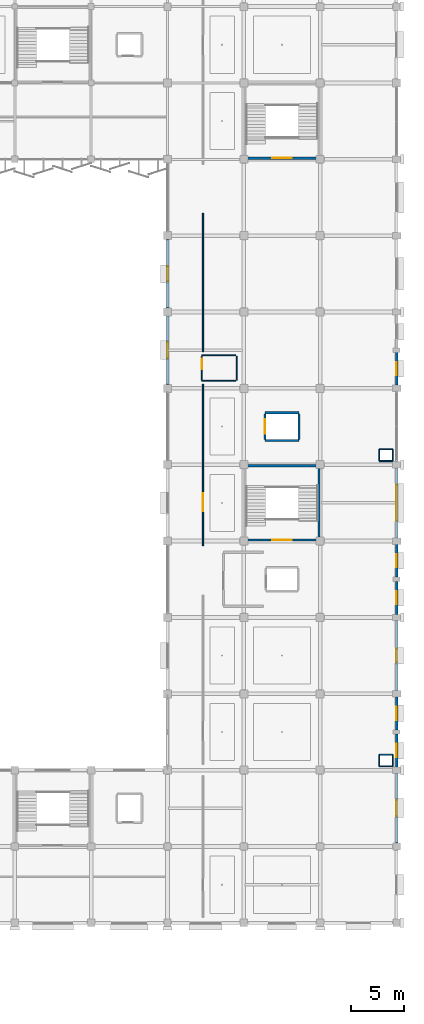
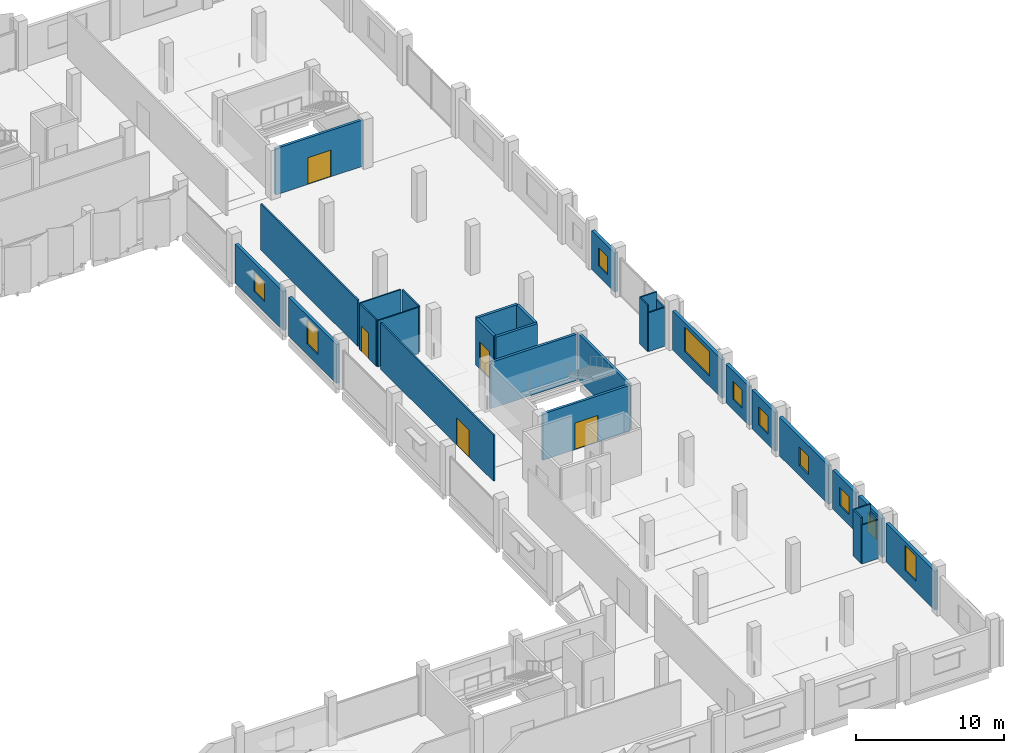
# One storey, part 86 of 108: 32 walls, 10 windows, 5 doors, 15 openings.
"""IFC4 building model written with IfcOpenShell, lengths in metres."""

from ifc_helpers import new_model, si_unit, direction, frame, frame_2d, origin, place, context, subcontext, project, spatial, rectangle, extrude, material, layer, layer_set, type_object, element, fill, save


model = new_model("IFC4")

# Units and contexts
model_context = context("Model", 3, precision=1e-05, world=origin(), true_north=direction((0.0, 1.0)))
body_context = subcontext(model_context, "Body", "Model", "MODEL_VIEW")
ifc_project = project(units=[si_unit("LENGTHUNIT", "METRE"), si_unit("AREAUNIT", "SQUARE_METRE"), si_unit("VOLUMEUNIT", "CUBIC_METRE"), si_unit("PLANEANGLEUNIT", "RADIAN"), si_unit("MASSUNIT", "GRAM", prefix="KILO")], contexts=[model_context])

# Site, building, storey
site_placement = place(None, origin())
site = spatial("IfcSite", under=ifc_project, at=site_placement, CompositionType="ELEMENT")
building_placement = place(site_placement, origin())
building = spatial("IfcBuilding", under=site, at=building_placement, Name="Kangsadwip Square Police Headquarters", CompositionType="ELEMENT")
storey_placement = place(building_placement, frame((0.0, 0.0, 9.449951171875)))
storey = spatial("IfcBuildingStorey", under=building, at=storey_placement, Name="L02", CompositionType="ELEMENT", Elevation=9.449951171875)

# Wall, opening, door
ifc_material_1 = material(Name="Fire-rated double gypsum board acoustic stud partition", Category="masonry")
ifc_layer_1 = layer(ifc_material_1, 0.1201171875)
ifc_layer_set_1 = layer_set([ifc_layer_1], Name="Fire-rated double gypsum board acoustic stud partition")
wall_type_1 = type_object("IfcWallType", Name="AcousticPartition120", PredefinedType="PARTITIONING", material=ifc_layer_set_1)
wall_1_placement = place(storey_placement, frame((147.35009765625, 57.14990234375, 0.0), z_axis=(0.0, 0.0, 1.0), x_axis=(0.0, 1.0, 0.0)))
wall_1 = element("IfcWall", 1, at=wall_1_placement, inside=storey, type_object=wall_type_1, Name="Interior Wall WI-L02-0786", PredefinedType="PARTITIONING", context=body_context, shape_type="SweptSolid", body=[
    extrude(rectangle(XDim=15.22021484375, YDim=0.1201171875, at=frame_2d((7.610107421875, 0.0))), origin(), (0.0, 0.0, 1.0), 3.81005859375),
])
opening_1_placement = place(wall_1_placement, frame((3.2548828125, 0.0, 0.0)))
opening_1 = element("IfcOpeningElement", 2, at=opening_1_placement, cuts=wall_1, Name="Opening ID-17", PredefinedType="OPENING", context=body_context, shape_type="SweptSolid", body=[
    extrude(rectangle(XDim=1.699951171875, YDim=2.199951171875, at=frame_2d((0.85009765625, 1.10009765625))), frame((0.0, 0.070068359375, 0.0), z_axis=(0.0, -1.0, 0.0), x_axis=(1.0, 0.0, 0.0)), (0.0, 0.0, 1.0), 0.14013671875),
])
ifc_material_2 = material(Name="Insulated galvanized steel fire-rated door assembly", Category="steel")
door_type_1 = type_object("IfcDoorType", Name="LabDoubleDoor1700x2200", OperationType="DOUBLE_DOOR_SINGLE_SWING", PredefinedType="DOOR", material=ifc_material_2)
door_1_placement = place(opening_1_placement, origin())
door_1 = element("IfcDoor", 3, at=door_1_placement, inside=storey, type_object=door_type_1, Name="Interior Door ID-L02-0197", OperationType="DOUBLE_DOOR_SINGLE_SWING", OverallHeight=2.199951171875, OverallWidth=1.699951171875, PredefinedType="DOOR", context=body_context, shape_type="SweptSolid", body=[
    extrude(rectangle(XDim=1.699951171875, YDim=2.199951171875, at=frame_2d((0.85009765625, 1.10009765625))), frame((0.0, 0.02490234375, 0.0), z_axis=(0.0, -1.0, 0.0), x_axis=(1.0, 0.0, 0.0)), (0.0, 0.0, 1.0), 0.050048828125),
])
fill(opening_1, door_1)

# Wall
wall_2_placement = place(storey_placement, frame((147.35009765625, 75.429931640625, 0.0), z_axis=(0.0, 0.0, 1.0), x_axis=(0.0, 1.0, 0.0)))
element("IfcWall", 4, at=wall_2_placement, inside=storey, type_object=wall_type_1, Name="Interior Wall WI-L02-0787", PredefinedType="PARTITIONING", context=body_context, shape_type="SweptSolid", body=[
    extrude(rectangle(XDim=13.070068359375, YDim=0.1201171875, at=frame_2d((6.53515625, 0.0))), origin(), (0.0, 0.0, 1.0), 3.81005859375),
])

# Wall, opening, window
ifc_material_3 = material(Name="Glazed architectural terracotta masonry rainscreen", Category="masonry")
ifc_layer_2 = layer(ifc_material_3, 0.25)
ifc_layer_set_2 = layer_set([ifc_layer_2], Name="Glazed architectural terracotta masonry rainscreen")
wall_type_2 = type_object("IfcWallType", Name="ChicagoTerracottaWall250", PredefinedType="SOLIDWALL", material=ifc_layer_set_2)
wall_3_placement = place(storey_placement, frame((144.0, 72.3701171875, 0.0), z_axis=(0.0, 0.0, 1.0), x_axis=(0.0, 1.0, 0.0)))
wall_3 = element("IfcWall", 5, at=wall_3_placement, inside=storey, type_object=wall_type_2, Name="Exterior Wall WE-L02-346", PredefinedType="SOLIDWALL", context=body_context, shape_type="SweptSolid", body=[
    extrude(rectangle(XDim=6.4599609375, YDim=0.25, at=frame_2d((3.22998046875, 0.0))), origin(), (0.0, 0.0, 1.0), 3.195068359375),
])
opening_2_placement = place(wall_3_placement, frame((2.47998046875, 0.0, 0.85009765625)))
opening_2 = element("IfcOpeningElement", 6, at=opening_2_placement, cuts=wall_3, Name="Opening WN-12", PredefinedType="OPENING", context=body_context, shape_type="SweptSolid", body=[
    extrude(rectangle(XDim=1.5, YDim=2.050048828125, at=frame_2d((0.75, 1.02490234375))), frame((0.0, 0.135009765625, 0.0), z_axis=(0.0, -1.0, 0.0), x_axis=(1.0, 0.0, 0.0)), (0.0, 0.0, 1.0), 0.27001953125),
])
ifc_material_4 = material(Name="Double-glazed solar-control low-E safety glass", Category="glass")
window_type_1 = type_object("IfcWindowType", Name="DirectorateTallWin1500x2050", PartitioningType="SINGLE_PANEL", PredefinedType="WINDOW", material=ifc_material_4)
window_1_placement = place(opening_2_placement, origin())
window_1 = element("IfcWindow", 7, at=window_1_placement, inside=storey, type_object=window_type_1, Name="Window WN-L02-0199", OverallHeight=2.050048828125, OverallWidth=1.5, PartitioningType="SINGLE_PANEL", PredefinedType="WINDOW", context=body_context, shape_type="SweptSolid", body=[
    extrude(rectangle(XDim=1.5, YDim=2.050048828125, at=frame_2d((0.75, 1.02490234375))), frame((0.0, 0.030029296875, 0.0), z_axis=(0.0, -1.0, 0.0), x_axis=(1.0, 0.0, 0.0)), (0.0, 0.0, 1.0), 0.06005859375),
])
fill(opening_2, window_1)

wall_4_placement = place(storey_placement, frame((144.0, 79.570068359375, 0.0), z_axis=(0.0, 0.0, 1.0), x_axis=(0.0, 1.0, 0.0)))
wall_4 = element("IfcWall", 8, at=wall_4_placement, inside=storey, type_object=wall_type_2, Name="Exterior Wall WE-L02-347", PredefinedType="SOLIDWALL", context=body_context, shape_type="SweptSolid", body=[
    extrude(rectangle(XDim=6.4599609375, YDim=0.25, at=frame_2d((3.22998046875, 0.0))), origin(), (0.0, 0.0, 1.0), 3.195068359375),
])
opening_3_placement = place(wall_4_placement, frame((2.530029296875, 0.0, 0.85009765625)))
opening_3 = element("IfcOpeningElement", 9, at=opening_3_placement, cuts=wall_4, Name="Opening WN-13", PredefinedType="OPENING", context=body_context, shape_type="SweptSolid", body=[
    extrude(rectangle(XDim=1.39990234375, YDim=1.60009765625, at=frame_2d((0.699951171875, 0.800048828125))), frame((0.0, 0.135009765625, 0.0), z_axis=(0.0, -1.0, 0.0), x_axis=(1.0, 0.0, 0.0)), (0.0, 0.0, 1.0), 0.27001953125),
])
ifc_material_5 = material(Name="Double-glazed solar-control low-E safety glass", Category="glass")
window_type_2 = type_object("IfcWindowType", Name="OfficeCasementWin1400x1600", PartitioningType="SINGLE_PANEL", PredefinedType="WINDOW", material=ifc_material_5)
window_2_placement = place(opening_3_placement, origin())
window_2 = element("IfcWindow", 10, at=window_2_placement, inside=storey, type_object=window_type_2, Name="Window WN-L02-0200", OverallHeight=1.60009765625, OverallWidth=1.39990234375, PartitioningType="SINGLE_PANEL", PredefinedType="WINDOW", context=body_context, shape_type="SweptSolid", body=[
    extrude(rectangle(XDim=1.39990234375, YDim=1.60009765625, at=frame_2d((0.699951171875, 0.800048828125))), frame((0.0, 0.030029296875, 0.0), z_axis=(0.0, -1.0, 0.0), x_axis=(1.0, 0.0, 0.0)), (0.0, 0.0, 1.0), 0.06005859375),
])
fill(opening_3, window_2)

wall_5_placement = place(storey_placement, frame((165.60009765625, 29.14501953125, 0.0), z_axis=(0.0, 0.0, 1.0), x_axis=(0.0, 1.0, 0.0)))
wall_5 = element("IfcWall", 11, at=wall_5_placement, inside=storey, type_object=wall_type_2, Name="Exterior Wall WE-L02-349", PredefinedType="SOLIDWALL", context=body_context, shape_type="SweptSolid", body=[
    extrude(rectangle(XDim=6.56005859375, YDim=0.25, at=frame_2d((3.280029296875, 0.0))), origin(), (0.0, 0.0, 1.0), 3.195068359375),
])
opening_4_placement = place(wall_5_placement, frame((2.530029296875, 0.0, 0.85009765625)))
opening_4 = element("IfcOpeningElement", 12, at=opening_4_placement, cuts=wall_5, Name="Opening WN-12", PredefinedType="OPENING", context=body_context, shape_type="SweptSolid", body=[
    extrude(rectangle(XDim=1.5, YDim=2.050048828125, at=frame_2d((0.75, 1.02490234375))), frame((0.0, 0.135009765625, 0.0), z_axis=(0.0, -1.0, 0.0), x_axis=(1.0, 0.0, 0.0)), (0.0, 0.0, 1.0), 0.27001953125),
])
window_3_placement = place(opening_4_placement, origin())
window_3 = element("IfcWindow", 13, at=window_3_placement, inside=storey, type_object=window_type_1, Name="Window WN-L02-0202", OverallHeight=2.050048828125, OverallWidth=1.5, PartitioningType="SINGLE_PANEL", PredefinedType="WINDOW", context=body_context, shape_type="SweptSolid", body=[
    extrude(rectangle(XDim=1.5, YDim=2.050048828125, at=frame_2d((0.75, 1.02490234375))), frame((0.0, 0.030029296875, 0.0), z_axis=(0.0, -1.0, 0.0), x_axis=(1.0, 0.0, 0.0)), (0.0, 0.0, 1.0), 0.06005859375),
])
fill(opening_4, window_3)

wall_6_placement = place(storey_placement, frame((165.60009765625, 36.294921875, 0.0), z_axis=(0.0, 0.0, 1.0), x_axis=(0.0, 1.0, 0.0)))
wall_6 = element("IfcWall", 14, at=wall_6_placement, inside=storey, type_object=wall_type_2, Name="Exterior Wall WE-L02-350", PredefinedType="SOLIDWALL", context=body_context, shape_type="SweptSolid", body=[
    extrude(rectangle(XDim=3.110107421875, YDim=0.25, at=frame_2d((1.55517578125, 0.0))), origin(), (0.0, 0.0, 1.0), 3.195068359375),
])
opening_5_placement = place(wall_6_placement, frame((0.929931640625, 0.0, 0.85009765625)))
opening_5 = element("IfcOpeningElement", 15, at=opening_5_placement, cuts=wall_6, Name="Opening WN-14", PredefinedType="OPENING", context=body_context, shape_type="SweptSolid", body=[
    extrude(rectangle(XDim=1.25, YDim=1.5, at=frame_2d((0.625, 0.75))), frame((0.0, 0.135009765625, 0.0), z_axis=(0.0, -1.0, 0.0), x_axis=(1.0, 0.0, 0.0)), (0.0, 0.0, 1.0), 0.27001953125),
])
ifc_material_6 = material(Name="Double-glazed solar-control low-E safety glass", Category="glass")
window_type_3 = type_object("IfcWindowType", Name="OfficeCasementWin1250x1500", PartitioningType="SINGLE_PANEL", PredefinedType="WINDOW", material=ifc_material_6)
window_4_placement = place(opening_5_placement, origin())
window_4 = element("IfcWindow", 16, at=window_4_placement, inside=storey, type_object=window_type_3, Name="Window WN-L02-0203", OverallHeight=1.5, OverallWidth=1.25, PartitioningType="SINGLE_PANEL", PredefinedType="WINDOW", context=body_context, shape_type="SweptSolid", body=[
    extrude(rectangle(XDim=1.25, YDim=1.5, at=frame_2d((0.625, 0.75))), frame((0.0, 0.030029296875, 0.0), z_axis=(0.0, -1.0, 0.0), x_axis=(1.0, 0.0, 0.0)), (0.0, 0.0, 1.0), 0.06005859375),
])
fill(opening_5, window_4)

wall_7_placement = place(storey_placement, frame((165.60009765625, 39.794921875, 0.0), z_axis=(0.0, 0.0, 1.0), x_axis=(0.0, 1.0, 0.0)))
wall_7 = element("IfcWall", 17, at=wall_7_placement, inside=storey, type_object=wall_type_2, Name="Exterior Wall WE-L02-351", PredefinedType="SOLIDWALL", context=body_context, shape_type="SweptSolid", body=[
    extrude(rectangle(XDim=3.110107421875, YDim=0.25, at=frame_2d((1.55517578125, 0.0))), origin(), (0.0, 0.0, 1.0), 3.195068359375),
])
opening_6_placement = place(wall_7_placement, frame((0.929931640625, 0.0, 0.85009765625)))
opening_6 = element("IfcOpeningElement", 18, at=opening_6_placement, cuts=wall_7, Name="Opening WN-14", PredefinedType="OPENING", context=body_context, shape_type="SweptSolid", body=[
    extrude(rectangle(XDim=1.25, YDim=1.5, at=frame_2d((0.625, 0.75))), frame((0.0, 0.135009765625, 0.0), z_axis=(0.0, -1.0, 0.0), x_axis=(1.0, 0.0, 0.0)), (0.0, 0.0, 1.0), 0.27001953125),
])
window_5_placement = place(opening_6_placement, origin())
window_5 = element("IfcWindow", 19, at=window_5_placement, inside=storey, type_object=window_type_3, Name="Window WN-L02-0204", OverallHeight=1.5, OverallWidth=1.25, PartitioningType="SINGLE_PANEL", PredefinedType="WINDOW", context=body_context, shape_type="SweptSolid", body=[
    extrude(rectangle(XDim=1.25, YDim=1.5, at=frame_2d((0.625, 0.75))), frame((0.0, 0.030029296875, 0.0), z_axis=(0.0, -1.0, 0.0), x_axis=(1.0, 0.0, 0.0)), (0.0, 0.0, 1.0), 0.06005859375),
])
fill(opening_6, window_5)

wall_8_placement = place(storey_placement, frame((165.60009765625, 43.4951171875, 0.0), z_axis=(0.0, 0.0, 1.0), x_axis=(0.0, 1.0, 0.0)))
wall_8 = element("IfcWall", 20, at=wall_8_placement, inside=storey, type_object=wall_type_2, Name="Exterior Wall WE-L02-352", PredefinedType="SOLIDWALL", context=body_context, shape_type="SweptSolid", body=[
    extrude(rectangle(XDim=6.60986328125, YDim=0.25, at=frame_2d((3.304931640625, 0.0))), origin(), (0.0, 0.0, 1.0), 3.195068359375),
])
opening_7_placement = place(wall_8_placement, frame((2.679931640625, 0.0, 0.85009765625)))
opening_7 = element("IfcOpeningElement", 21, at=opening_7_placement, cuts=wall_8, Name="Opening WN-14", PredefinedType="OPENING", context=body_context, shape_type="SweptSolid", body=[
    extrude(rectangle(XDim=1.25, YDim=1.5, at=frame_2d((0.625, 0.75))), frame((0.0, 0.135009765625, 0.0), z_axis=(0.0, -1.0, 0.0), x_axis=(1.0, 0.0, 0.0)), (0.0, 0.0, 1.0), 0.27001953125),
])
window_6_placement = place(opening_7_placement, origin())
window_6 = element("IfcWindow", 22, at=window_6_placement, inside=storey, type_object=window_type_3, Name="Window WN-L02-0205", OverallHeight=1.5, OverallWidth=1.25, PartitioningType="SINGLE_PANEL", PredefinedType="WINDOW", context=body_context, shape_type="SweptSolid", body=[
    extrude(rectangle(XDim=1.25, YDim=1.5, at=frame_2d((0.625, 0.75))), frame((0.0, 0.030029296875, 0.0), z_axis=(0.0, -1.0, 0.0), x_axis=(1.0, 0.0, 0.0)), (0.0, 0.0, 1.0), 0.06005859375),
])
fill(opening_7, window_6)

wall_9_placement = place(storey_placement, frame((165.60009765625, 50.695068359375, 0.0), z_axis=(0.0, 0.0, 1.0), x_axis=(0.0, 1.0, 0.0)))
wall_9 = element("IfcWall", 23, at=wall_9_placement, inside=storey, type_object=wall_type_2, Name="Exterior Wall WE-L02-353", PredefinedType="SOLIDWALL", context=body_context, shape_type="SweptSolid", body=[
    extrude(rectangle(XDim=3.10986328125, YDim=0.25, at=frame_2d((1.554931640625, 0.0))), origin(), (0.0, 0.0, 1.0), 3.195068359375),
])
opening_8_placement = place(wall_9_placement, frame((0.929931640625, 0.0, 0.85009765625)))
opening_8 = element("IfcOpeningElement", 24, at=opening_8_placement, cuts=wall_9, Name="Opening WN-14", PredefinedType="OPENING", context=body_context, shape_type="SweptSolid", body=[
    extrude(rectangle(XDim=1.25, YDim=1.5, at=frame_2d((0.625, 0.75))), frame((0.0, 0.135009765625, 0.0), z_axis=(0.0, -1.0, 0.0), x_axis=(1.0, 0.0, 0.0)), (0.0, 0.0, 1.0), 0.27001953125),
])
window_7_placement = place(opening_8_placement, origin())
window_7 = element("IfcWindow", 25, at=window_7_placement, inside=storey, type_object=window_type_3, Name="Window WN-L02-0206", OverallHeight=1.5, OverallWidth=1.25, PartitioningType="SINGLE_PANEL", PredefinedType="WINDOW", context=body_context, shape_type="SweptSolid", body=[
    extrude(rectangle(XDim=1.25, YDim=1.5, at=frame_2d((0.625, 0.75))), frame((0.0, 0.030029296875, 0.0), z_axis=(0.0, -1.0, 0.0), x_axis=(1.0, 0.0, 0.0)), (0.0, 0.0, 1.0), 0.06005859375),
])
fill(opening_8, window_7)

wall_10_placement = place(storey_placement, frame((165.60009765625, 54.195068359375, 0.0), z_axis=(0.0, 0.0, 1.0), x_axis=(0.0, 1.0, 0.0)))
wall_10 = element("IfcWall", 26, at=wall_10_placement, inside=storey, type_object=wall_type_2, Name="Exterior Wall WE-L02-354", PredefinedType="SOLIDWALL", context=body_context, shape_type="SweptSolid", body=[
    extrude(rectangle(XDim=3.10986328125, YDim=0.25, at=frame_2d((1.554931640625, 0.0))), origin(), (0.0, 0.0, 1.0), 3.195068359375),
])
opening_9_placement = place(wall_10_placement, frame((0.929931640625, 0.0, 0.85009765625)))
opening_9 = element("IfcOpeningElement", 27, at=opening_9_placement, cuts=wall_10, Name="Opening WN-14", PredefinedType="OPENING", context=body_context, shape_type="SweptSolid", body=[
    extrude(rectangle(XDim=1.25, YDim=1.5, at=frame_2d((0.625, 0.75))), frame((0.0, 0.135009765625, 0.0), z_axis=(0.0, -1.0, 0.0), x_axis=(1.0, 0.0, 0.0)), (0.0, 0.0, 1.0), 0.27001953125),
])
window_8_placement = place(opening_9_placement, origin())
window_8 = element("IfcWindow", 28, at=window_8_placement, inside=storey, type_object=window_type_3, Name="Window WN-L02-0207", OverallHeight=1.5, OverallWidth=1.25, PartitioningType="SINGLE_PANEL", PredefinedType="WINDOW", context=body_context, shape_type="SweptSolid", body=[
    extrude(rectangle(XDim=1.25, YDim=1.5, at=frame_2d((0.625, 0.75))), frame((0.0, 0.030029296875, 0.0), z_axis=(0.0, -1.0, 0.0), x_axis=(1.0, 0.0, 0.0)), (0.0, 0.0, 1.0), 0.06005859375),
])
fill(opening_9, window_8)

wall_11_placement = place(storey_placement, frame((165.60009765625, 57.89501953125, 0.0), z_axis=(0.0, 0.0, 1.0), x_axis=(0.0, 1.0, 0.0)))
wall_11 = element("IfcWall", 29, at=wall_11_placement, inside=storey, type_object=wall_type_2, Name="Exterior Wall WE-L02-355", PredefinedType="SOLIDWALL", context=body_context, shape_type="SweptSolid", body=[
    extrude(rectangle(XDim=6.60986328125, YDim=0.25, at=frame_2d((3.304931640625, 0.0))), origin(), (0.0, 0.0, 1.0), 3.195068359375),
])
opening_10_placement = place(wall_11_placement, frame((1.60498046875, 0.0, 0.85009765625)))
opening_10 = element("IfcOpeningElement", 30, at=opening_10_placement, cuts=wall_11, Name="Opening WN-02", PredefinedType="OPENING", context=body_context, shape_type="SweptSolid", body=[
    extrude(rectangle(XDim=3.39990234375, YDim=2.0, at=frame_2d((1.699951171875, 1.0))), frame((0.0, 0.135009765625, 0.0), z_axis=(0.0, -1.0, 0.0), x_axis=(1.0, 0.0, 0.0)), (0.0, 0.0, 1.0), 0.27001953125),
])
ifc_material_7 = material(Name="Double-glazed solar-control low-E safety glass", Category="glass")
window_type_4 = type_object("IfcWindowType", Name="ChicagoTripartiteWin3400x2000", PartitioningType="TRIPLE_PANEL_HORIZONTAL", PredefinedType="WINDOW", material=ifc_material_7)
window_9_placement = place(opening_10_placement, origin())
window_9 = element("IfcWindow", 31, at=window_9_placement, inside=storey, type_object=window_type_4, Name="Window WN-L02-0208", OverallHeight=2.0, OverallWidth=3.39990234375, PartitioningType="SINGLE_PANEL", PredefinedType="WINDOW", context=body_context, shape_type="SweptSolid", body=[
    extrude(rectangle(XDim=3.39990234375, YDim=2.0, at=frame_2d((1.699951171875, 1.0))), frame((0.0, 0.030029296875, 0.0), z_axis=(0.0, -1.0, 0.0), x_axis=(1.0, 0.0, 0.0)), (0.0, 0.0, 1.0), 0.06005859375),
])
fill(opening_10, window_9)

wall_12_placement = place(storey_placement, frame((165.60009765625, 72.294921875, 0.0), z_axis=(0.0, 0.0, 1.0), x_axis=(0.0, 1.0, 0.0)))
wall_12 = element("IfcWall", 32, at=wall_12_placement, inside=storey, type_object=wall_type_2, Name="Exterior Wall WE-L02-356", PredefinedType="SOLIDWALL", context=body_context, shape_type="SweptSolid", body=[
    extrude(rectangle(XDim=3.110107421875, YDim=0.25, at=frame_2d((1.55517578125, 0.0))), origin(), (0.0, 0.0, 1.0), 3.195068359375),
])
opening_11_placement = place(wall_12_placement, frame((0.929931640625, 0.0, 0.85009765625)))
opening_11 = element("IfcOpeningElement", 33, at=opening_11_placement, cuts=wall_12, Name="Opening WN-14", PredefinedType="OPENING", context=body_context, shape_type="SweptSolid", body=[
    extrude(rectangle(XDim=1.25, YDim=1.5, at=frame_2d((0.625, 0.75))), frame((0.0, 0.135009765625, 0.0), z_axis=(0.0, -1.0, 0.0), x_axis=(1.0, 0.0, 0.0)), (0.0, 0.0, 1.0), 0.27001953125),
])
window_10_placement = place(opening_11_placement, origin())
window_10 = element("IfcWindow", 34, at=window_10_placement, inside=storey, type_object=window_type_3, Name="Window WN-L02-0209", OverallHeight=1.5, OverallWidth=1.25, PartitioningType="SINGLE_PANEL", PredefinedType="WINDOW", context=body_context, shape_type="SweptSolid", body=[
    extrude(rectangle(XDim=1.25, YDim=1.5, at=frame_2d((0.625, 0.75))), frame((0.0, 0.030029296875, 0.0), z_axis=(0.0, -1.0, 0.0), x_axis=(1.0, 0.0, 0.0)), (0.0, 0.0, 1.0), 0.06005859375),
])
fill(opening_11, window_10)

# Wall, opening, door
ifc_material_8 = material(Name="Concrete M40 (40 MPa)", Category="concrete")
ifc_layer_3 = layer(ifc_material_8, 0.199951171875)
ifc_layer_set_3 = layer_set([ifc_layer_3], Name="Concrete M40 (40 MPa)")
wall_type_3 = type_object("IfcWallType", Name="CoreShearWall200", PredefinedType="SHEAR", material=ifc_layer_set_3)
wall_13_placement = place(storey_placement, frame((151.39990234375, 57.699951171875, 0.0), z_axis=(0.0, 0.0, 1.0), x_axis=(1.0, 0.0, 0.0)))
wall_13 = element("IfcWall", 35, at=wall_13_placement, inside=storey, type_object=wall_type_3, Name="Interior Wall WI-L02-0101", PredefinedType="SHEAR", context=body_context, shape_type="SweptSolid", body=[
    extrude(rectangle(XDim=6.800048828125, YDim=0.199951171875, at=frame_2d((3.39990234375, 0.0))), origin(), (0.0, 0.0, 1.0), 3.81005859375),
])
opening_12_placement = place(wall_13_placement, frame((2.5, 0.0, 0.0)))
opening_12 = element("IfcOpeningElement", 36, at=opening_12_placement, cuts=wall_13, Name="Opening FD-18", PredefinedType="OPENING", context=body_context, shape_type="SweptSolid", body=[
    extrude(rectangle(XDim=1.800048828125, YDim=2.199951171875, at=frame_2d((0.89990234375, 1.10009765625))), frame((0.0, 0.10986328125, 0.0), z_axis=(0.0, -1.0, 0.0), x_axis=(1.0, 0.0, 0.0)), (0.0, 0.0, 1.0), 0.219970703125),
])
ifc_material_9 = material(Name="Insulated galvanized steel fire-rated door assembly", Category="steel")
door_type_2 = type_object("IfcDoorType", Name="StairFireDoor1800x2200", OperationType="DOUBLE_DOOR_SINGLE_SWING", PredefinedType="DOOR", material=ifc_material_9)
door_2_placement = place(opening_12_placement, origin())
door_2 = element("IfcDoor", 37, at=door_2_placement, inside=storey, type_object=door_type_2, Name="Interior Door ID-L02-0022", OperationType="DOUBLE_DOOR_SINGLE_SWING", OverallHeight=2.199951171875, OverallWidth=1.800048828125, PredefinedType="DOOR", context=body_context, shape_type="SweptSolid", body=[
    extrude(rectangle(XDim=1.800048828125, YDim=2.199951171875, at=frame_2d((0.89990234375, 1.10009765625))), frame((0.0, 0.02490234375, 0.0), z_axis=(0.0, -1.0, 0.0), x_axis=(1.0, 0.0, 0.0)), (0.0, 0.0, 1.0), 0.050048828125),
])
fill(opening_12, door_2)

# Walls
for number, where, z_axis, x_axis, name in (
    (38, (151.39990234375, 64.699951171875, 0.0), (0.0, 0.0, 1.0), (1.0, 0.0, 0.0), "Interior Wall WI-L02-0102"),
    (39, (158.300048828125, 57.800048828125, 0.0), (0.0, 0.0, 1.0), (0.0, 1.0, 0.0), "Interior Wall WI-L02-0104"),
):
    element("IfcWall", number, at=place(storey_placement, frame(where, z_axis=z_axis, x_axis=x_axis)), inside=storey, type_object=wall_type_3, Name=name, PredefinedType="SHEAR", context=body_context, shape_type="SweptSolid", body=[
        extrude(rectangle(XDim=6.800048828125, YDim=0.199951171875, at=frame_2d((3.39990234375, 0.0))), origin(), (0.0, 0.0, 1.0), 3.81005859375),
    ])

# Wall, opening, door
wall_14_placement = place(storey_placement, frame((151.39990234375, 93.699951171875, 0.0), z_axis=(0.0, 0.0, 1.0), x_axis=(1.0, 0.0, 0.0)))
wall_14 = element("IfcWall", 40, at=wall_14_placement, inside=storey, type_object=wall_type_3, Name="Interior Wall WI-L02-0137", PredefinedType="SHEAR", context=body_context, shape_type="SweptSolid", body=[
    extrude(rectangle(XDim=6.800048828125, YDim=0.199951171875, at=frame_2d((3.39990234375, 0.0))), origin(), (0.0, 0.0, 1.0), 3.81005859375),
])
opening_13_placement = place(wall_14_placement, frame((2.5, 0.0, 0.0)))
opening_13 = element("IfcOpeningElement", 41, at=opening_13_placement, cuts=wall_14, Name="Opening FD-18", PredefinedType="OPENING", context=body_context, shape_type="SweptSolid", body=[
    extrude(rectangle(XDim=1.800048828125, YDim=2.199951171875, at=frame_2d((0.89990234375, 1.10009765625))), frame((0.0, 0.10986328125, 0.0), z_axis=(0.0, -1.0, 0.0), x_axis=(1.0, 0.0, 0.0)), (0.0, 0.0, 1.0), 0.219970703125),
])
door_3_placement = place(opening_13_placement, origin())
door_3 = element("IfcDoor", 42, at=door_3_placement, inside=storey, type_object=door_type_2, Name="Interior Door ID-L02-0031", OperationType="DOUBLE_DOOR_SINGLE_SWING", OverallHeight=2.199951171875, OverallWidth=1.800048828125, PredefinedType="DOOR", context=body_context, shape_type="SweptSolid", body=[
    extrude(rectangle(XDim=1.800048828125, YDim=2.199951171875, at=frame_2d((0.89990234375, 1.10009765625))), frame((0.0, 0.02490234375, 0.0), z_axis=(0.0, -1.0, 0.0), x_axis=(1.0, 0.0, 0.0)), (0.0, 0.0, 1.0), 0.050048828125),
])
fill(opening_13, door_3)

# Walls
for number, where, z_axis, x_axis, name in (
    (43, (153.199951171875, 67.10009765625, 0.0), (0.0, 0.0, 1.0), (1.0, 0.0, 0.0), "Interior Wall WI-L02-0439"),
    (44, (153.199951171875, 69.699951171875, 0.0), (0.0, 0.0, 1.0), (1.0, 0.0, 0.0), "Interior Wall WI-L02-0440"),
):
    element("IfcWall", number, at=place(storey_placement, frame(where, z_axis=z_axis, x_axis=x_axis)), inside=storey, type_object=wall_type_3, Name=name, PredefinedType="SHEAR", context=body_context, shape_type="SweptSolid", body=[
        extrude(rectangle(XDim=3.199951171875, YDim=0.199951171875, at=frame_2d((1.60009765625, 0.0))), origin(), (0.0, 0.0, 1.0), 3.81005859375),
    ])

# Wall, opening, door
wall_15_placement = place(storey_placement, frame((153.199951171875, 67.199951171875, 0.0), z_axis=(0.0, 0.0, 1.0), x_axis=(0.0, 1.0, 0.0)))
wall_15 = element("IfcWall", 45, at=wall_15_placement, inside=storey, type_object=wall_type_3, Name="Interior Wall WI-L02-0441", PredefinedType="SHEAR", context=body_context, shape_type="SweptSolid", body=[
    extrude(rectangle(XDim=2.400146484375, YDim=0.199951171875, at=frame_2d((1.2001953125, 0.0))), origin(), (0.0, 0.0, 1.0), 3.81005859375),
])
opening_14_placement = place(wall_15_placement, frame((0.52490234375, 0.0, 0.0)))
opening_14 = element("IfcOpeningElement", 46, at=opening_14_placement, cuts=wall_15, Name="Opening LD-048", PredefinedType="OPENING", context=body_context, shape_type="SweptSolid", body=[
    extrude(rectangle(XDim=1.35009765625, YDim=2.199951171875, at=frame_2d((0.675048828125, 1.10009765625))), frame((0.0, 0.10986328125, 0.0), z_axis=(0.0, -1.0, 0.0), x_axis=(1.0, 0.0, 0.0)), (0.0, 0.0, 1.0), 0.219970703125),
])
ifc_material_10 = material(Name="Brushed stainless steel automatic sliding lift landing door", Category="steel")
door_type_3 = type_object("IfcDoorType", Name="LiftLandingDoor1350x2200", OperationType="DOUBLE_DOOR_SLIDING", PredefinedType="DOOR", material=ifc_material_10)
door_4_placement = place(opening_14_placement, origin())
door_4 = element("IfcDoor", 47, at=door_4_placement, inside=storey, type_object=door_type_3, Name="Interior Door LD-048", OperationType="DOUBLE_DOOR_SLIDING", OverallHeight=2.199951171875, OverallWidth=1.35009765625, PredefinedType="DOOR", context=body_context, shape_type="SweptSolid", body=[
    extrude(rectangle(XDim=1.35009765625, YDim=2.199951171875, at=frame_2d((0.675048828125, 1.10009765625))), frame((0.0, 0.02490234375, 0.0), z_axis=(0.0, -1.0, 0.0), x_axis=(1.0, 0.0, 0.0)), (0.0, 0.0, 1.0), 0.050048828125),
])
fill(opening_14, door_4)

# Walls
wall_16_placement = place(storey_placement, frame((156.39990234375, 67.199951171875, 0.0), z_axis=(0.0, 0.0, 1.0), x_axis=(0.0, 1.0, 0.0)))
element("IfcWall", 48, at=wall_16_placement, inside=storey, type_object=wall_type_3, Name="Interior Wall WI-L02-0442", PredefinedType="SHEAR", context=body_context, shape_type="SweptSolid", body=[
    extrude(rectangle(XDim=2.400146484375, YDim=0.199951171875, at=frame_2d((1.2001953125, 0.0))), origin(), (0.0, 0.0, 1.0), 3.81005859375),
])
ifc_material_11 = material(Name="Autoclaved aerated concrete blockwork masonry", Category="masonry")
ifc_layer_4 = layer(ifc_material_11, 0.10009765625)
ifc_layer_set_4 = layer_set([ifc_layer_4], Name="Autoclaved aerated concrete blockwork masonry")
wall_type_4 = type_object("IfcWallType", Name="WetWallPartition100", PredefinedType="PARTITIONING", material=ifc_layer_set_4)
wall_17_placement = place(storey_placement, frame((163.949951171875, 36.35009765625, 0.0), z_axis=(0.0, 0.0, 1.0), x_axis=(1.0, 0.0, 0.0)))
element("IfcWall", 49, at=wall_17_placement, inside=storey, type_object=wall_type_4, Name="Interior Wall WI-L02-0587", PredefinedType="PARTITIONING", context=body_context, shape_type="SweptSolid", body=[
    extrude(rectangle(XDim=1.300048828125, YDim=0.10009765625, at=frame_2d((0.64990234375, 0.0))), origin(), (0.0, 0.0, 1.0), 3.199951171875),
])
wall_18_placement = place(storey_placement, frame((163.949951171875, 37.449951171875, 0.0), z_axis=(0.0, 0.0, 1.0), x_axis=(1.0, 0.0, 0.0)))
element("IfcWall", 50, at=wall_18_placement, inside=storey, type_object=wall_type_4, Name="Interior Wall WI-L02-0588", PredefinedType="PARTITIONING", context=body_context, shape_type="SweptSolid", body=[
    extrude(rectangle(XDim=1.300048828125, YDim=0.10009765625, at=frame_2d((0.64990234375, 0.0))), origin(), (0.0, 0.0, 1.0), 3.81005859375),
])
wall_19_placement = place(storey_placement, frame((163.949951171875, 36.35009765625, 0.0), z_axis=(0.0, 0.0, 1.0), x_axis=(0.0, 1.0, 0.0)))
element("IfcWall", 51, at=wall_19_placement, inside=storey, type_object=wall_type_4, Name="Interior Wall WI-L02-0589", PredefinedType="PARTITIONING", context=body_context, shape_type="SweptSolid", body=[
    extrude(rectangle(XDim=1.099853515625, YDim=0.10009765625, at=frame_2d((0.5498046875, 0.0))), origin(), (0.0, 0.0, 1.0), 3.81005859375),
])
wall_20_placement = place(storey_placement, frame((165.25, 36.35009765625, 0.0), z_axis=(0.0, 0.0, 1.0), x_axis=(0.0, 1.0, 0.0)))
element("IfcWall", 52, at=wall_20_placement, inside=storey, type_object=wall_type_4, Name="Interior Wall WI-L02-0590", PredefinedType="PARTITIONING", context=body_context, shape_type="SweptSolid", body=[
    extrude(rectangle(XDim=1.099853515625, YDim=0.10009765625, at=frame_2d((0.5498046875, 0.0))), origin(), (0.0, 0.0, 1.0), 3.199951171875),
])
wall_21_placement = place(storey_placement, frame((163.949951171875, 65.14990234375, 0.0), z_axis=(0.0, 0.0, 1.0), x_axis=(1.0, 0.0, 0.0)))
element("IfcWall", 53, at=wall_21_placement, inside=storey, type_object=wall_type_4, Name="Interior Wall WI-L02-0615", PredefinedType="PARTITIONING", context=body_context, shape_type="SweptSolid", body=[
    extrude(rectangle(XDim=1.300048828125, YDim=0.10009765625, at=frame_2d((0.64990234375, 0.0))), origin(), (0.0, 0.0, 1.0), 3.199951171875),
])
wall_22_placement = place(storey_placement, frame((163.949951171875, 66.25, 0.0), z_axis=(0.0, 0.0, 1.0), x_axis=(1.0, 0.0, 0.0)))
element("IfcWall", 54, at=wall_22_placement, inside=storey, type_object=wall_type_4, Name="Interior Wall WI-L02-0616", PredefinedType="PARTITIONING", context=body_context, shape_type="SweptSolid", body=[
    extrude(rectangle(XDim=1.300048828125, YDim=0.10009765625, at=frame_2d((0.64990234375, 0.0))), origin(), (0.0, 0.0, 1.0), 3.81005859375),
])
wall_23_placement = place(storey_placement, frame((163.949951171875, 65.14990234375, 0.0), z_axis=(0.0, 0.0, 1.0), x_axis=(0.0, 1.0, 0.0)))
element("IfcWall", 55, at=wall_23_placement, inside=storey, type_object=wall_type_4, Name="Interior Wall WI-L02-0617", PredefinedType="PARTITIONING", context=body_context, shape_type="SweptSolid", body=[
    extrude(rectangle(XDim=1.10009765625, YDim=0.10009765625, at=frame_2d((0.550048828125, 0.0))), origin(), (0.0, 0.0, 1.0), 3.81005859375),
])
wall_24_placement = place(storey_placement, frame((165.25, 65.14990234375, 0.0), z_axis=(0.0, 0.0, 1.0), x_axis=(0.0, 1.0, 0.0)))
element("IfcWall", 56, at=wall_24_placement, inside=storey, type_object=wall_type_4, Name="Interior Wall WI-L02-0618", PredefinedType="PARTITIONING", context=body_context, shape_type="SweptSolid", body=[
    extrude(rectangle(XDim=1.10009765625, YDim=0.10009765625, at=frame_2d((0.550048828125, 0.0))), origin(), (0.0, 0.0, 1.0), 3.199951171875),
])

# Wall, opening, door
wall_25_placement = place(storey_placement, frame((147.25, 72.780029296875, 0.0), z_axis=(0.0, 0.0, 1.0), x_axis=(0.0, 1.0, 0.0)))
wall_25 = element("IfcWall", 57, at=wall_25_placement, inside=storey, type_object=wall_type_4, Name="Interior Wall WI-L02-0767", PredefinedType="PARTITIONING", context=body_context, shape_type="SweptSolid", body=[
    extrude(rectangle(XDim=2.239990234375, YDim=0.10009765625, at=frame_2d((1.1201171875, 0.0))), origin(), (0.0, 0.0, 1.0), 3.81005859375),
])
opening_15_placement = place(wall_25_placement, frame((1.0400390625, 0.0, 0.0)))
opening_15 = element("IfcOpeningElement", 58, at=opening_15_placement, cuts=wall_25, Name="Opening WD-09A", PredefinedType="OPENING", context=body_context, shape_type="SweptSolid", body=[
    extrude(rectangle(XDim=0.949951171875, YDim=2.10009765625, at=frame_2d((0.47509765625, 1.050048828125))), frame((0.0, 0.06005859375, 0.0), z_axis=(0.0, -1.0, 0.0), x_axis=(1.0, 0.0, 0.0)), (0.0, 0.0, 1.0), 0.1201171875),
])
ifc_material_12 = material(Name="Solid-core seasoned teak hardwood architectural door", Category="wood")
door_type_4 = type_object("IfcDoorType", Name="AccessibleWcDoor950x2100", OperationType="NOTDEFINED", PredefinedType="DOOR", material=ifc_material_12)
door_5_placement = place(opening_15_placement, origin())
door_5 = element("IfcDoor", 59, at=door_5_placement, inside=storey, type_object=door_type_4, Name="Interior Door ID-L02-0183", OperationType="SINGLE_SWING_RIGHT", OverallHeight=2.10009765625, OverallWidth=0.949951171875, PredefinedType="DOOR", context=body_context, shape_type="SweptSolid", body=[
    extrude(rectangle(XDim=0.949951171875, YDim=2.10009765625, at=frame_2d((0.47509765625, 1.050048828125))), frame((0.0, 0.02490234375, 0.0), z_axis=(0.0, -1.0, 0.0), x_axis=(1.0, 0.0, 0.0)), (0.0, 0.0, 1.0), 0.050048828125),
])
fill(opening_15, door_5)

# Walls
for number, where, z_axis, x_axis, name in (
    (60, (147.25, 72.699951171875, 0.0), (0.0, 0.0, 1.0), (1.0, 0.0, 0.0), "Interior Wall WI-L02-0768"),
    (61, (147.25, 75.10009765625, 0.0), (0.0, 0.0, 1.0), (1.0, 0.0, 0.0), "Interior Wall WI-L02-0769"),
):
    element("IfcWall", number, at=place(storey_placement, frame(where, z_axis=z_axis, x_axis=x_axis)), inside=storey, type_object=wall_type_4, Name=name, PredefinedType="PARTITIONING", context=body_context, shape_type="SweptSolid", body=[
        extrude(rectangle(XDim=3.179931640625, YDim=0.10009765625, at=frame_2d((1.58984375, 0.0))), origin(), (0.0, 0.0, 1.0), 3.81005859375),
    ])
wall_26_placement = place(storey_placement, frame((150.550048828125, 72.780029296875, 0.0), z_axis=(0.0, 0.0, 1.0), x_axis=(0.0, 1.0, 0.0)))
element("IfcWall", 62, at=wall_26_placement, inside=storey, type_object=wall_type_4, Name="Interior Wall WI-L02-0770", PredefinedType="PARTITIONING", context=body_context, shape_type="SweptSolid", body=[
    extrude(rectangle(XDim=2.239990234375, YDim=0.10009765625, at=frame_2d((1.1201171875, 0.0))), origin(), (0.0, 0.0, 1.0), 3.81005859375),
])

save(model, "model.ifc")
